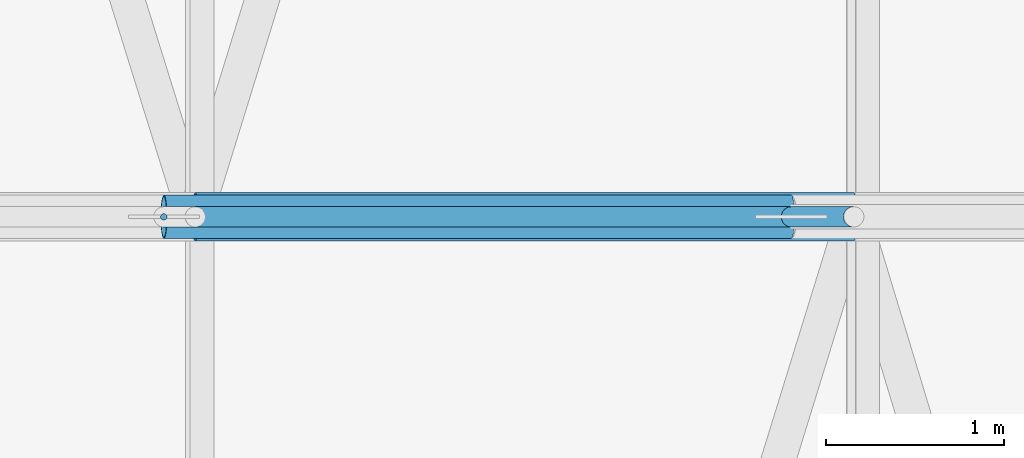
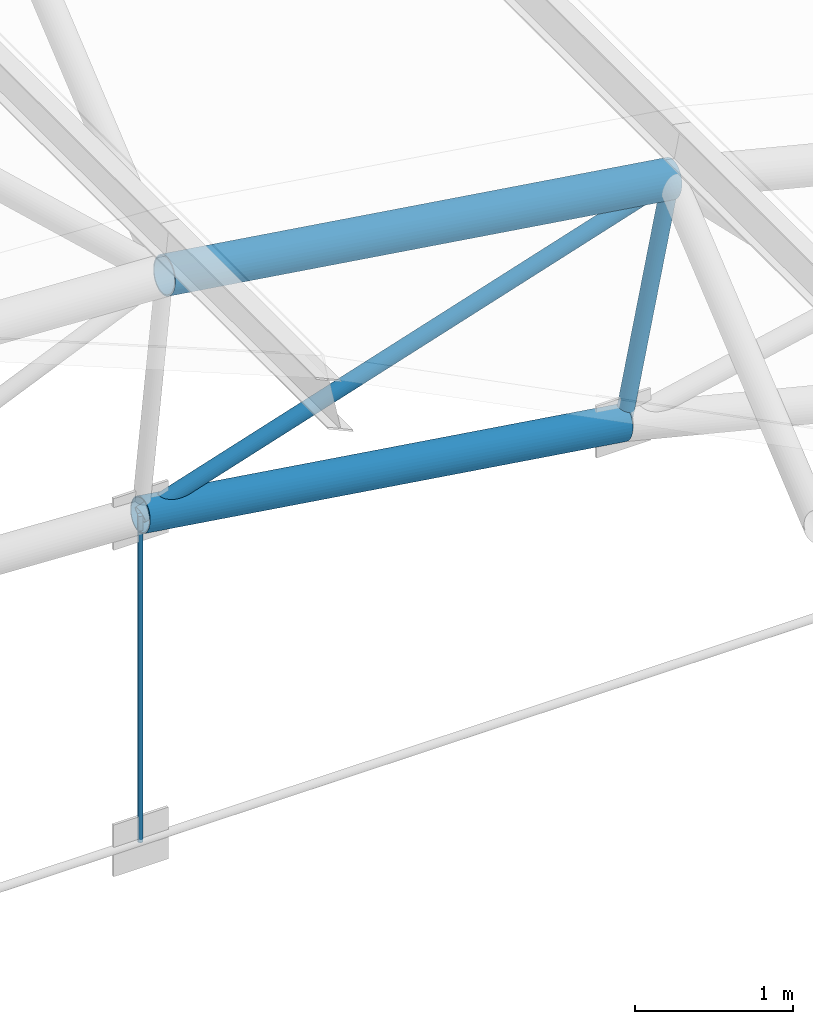
# One storey, part 211 of 321: 5 members.
"""IFC4 building model written with IfcOpenShell, lengths in metres."""

import ifcopenshell
import ifcopenshell.guid

model = None  # the IFC model being written
_history = None  # IfcOwnerHistory: only IFC2X3 demands one
_inside = {}  # id of a spatial element -> (the spatial element, [elements in it])
_under = {}  # id of a project, library or spatial element -> (it, [spatial elements below it])
_declared = {}  # id of a project -> (the project, [libraries it declares])
_typed = {}  # id of a type object -> (the type object, [elements of that type])
_made_of = {}  # id of a material, layer set ... -> (it, [elements and type objects made of it])


def new_model(schema):
    """Start an empty IFC model of exactly this schema.

    Asked for "IFC4X3", IfcOpenShell would pick the latest addendum, in which some entities
    have other attributes; the version numbers below select the first issue.
    IFC2X3 requires an IfcOwnerHistory on every rooted entity: one is made here for all.
    """
    global model, _history
    if schema == "IFC4X3":
        model = ifcopenshell.file(schema_version=(4, 3, 0, 0))
    else:
        model = ifcopenshell.file(schema=schema)
    _inside.clear()
    _under.clear()
    _declared.clear()
    _typed.clear()
    _made_of.clear()
    _history = None
    if model.schema == "IFC2X3":
        org = make("IfcOrganization", Name="unknown")
        user = make(
            "IfcPersonAndOrganization",
            ThePerson=make("IfcPerson", FamilyName="unknown"),
            TheOrganization=org,
        )
        app = make(
            "IfcApplication",
            ApplicationDeveloper=org,
            Version="unknown",
            ApplicationFullName="unknown",
            ApplicationIdentifier="unknown",
        )
        _history = make(
            "IfcOwnerHistory",
            OwningUser=user,
            OwningApplication=app,
            ChangeAction="ADDED",
            CreationDate=0,
        )
    return model


def make(cls, **values):
    """One entity of the class cls with the attributes given. An attribute that is None is left unset."""
    return model.create_entity(
        cls, **{name: value for name, value in values.items() if value is not None}
    )


def rooted(cls, **values):
    """An entity with a GlobalId (a new one), such as an element, a storey or a relation."""
    return make(cls, GlobalId=ifcopenshell.guid.new(), OwnerHistory=_history, **values)


def si_unit(unit_type, name, prefix=None):
    """IfcSIUnit, for example si_unit("LENGTHUNIT", "METRE", prefix="MILLI")."""
    return make("IfcSIUnit", UnitType=unit_type, Prefix=prefix, Name=name)


def assignment(units):
    """IfcUnitAssignment: the units of a project."""
    return None if units is None else make("IfcUnitAssignment", Units=units)


def point(xyz):
    """IfcCartesianPoint."""
    return None if xyz is None else make("IfcCartesianPoint", Coordinates=xyz)


def direction(xyz):
    """IfcDirection."""
    return None if xyz is None else make("IfcDirection", DirectionRatios=xyz)


def frame(location, z_axis=None, x_axis=None):
    """IfcAxis2Placement3D, a coordinate frame: its origin and axes. An axis left out is left unset."""
    return make(
        "IfcAxis2Placement3D",
        Location=point(location),
        Axis=direction(z_axis),
        RefDirection=direction(x_axis),
    )


def frame_2d(location, x_axis=None):
    """IfcAxis2Placement2D, a coordinate frame in the plane: its origin and x axis."""
    return make(
        "IfcAxis2Placement2D", Location=point(location), RefDirection=direction(x_axis)
    )


def origin():
    """The frame at (0, 0, 0) with its axes left unset."""
    return frame((0.0, 0.0, 0.0))


def origin_2d():
    """The frame at (0, 0) in the plane with its x axis left unset."""
    return frame_2d((0.0, 0.0))


def place(relative_to, where):
    """IfcLocalPlacement: puts the frame where relative to a parent placement (None: the world)."""
    return make(
        "IfcLocalPlacement", PlacementRelTo=relative_to, RelativePlacement=where
    )


def context(
    kind, dimensions, precision=None, world=None, true_north=None, identifier=None
):
    """IfcGeometricRepresentationContext, for example the 3D "Model" context."""
    return make(
        "IfcGeometricRepresentationContext",
        ContextIdentifier=identifier,
        ContextType=kind,
        CoordinateSpaceDimension=dimensions,
        Precision=precision,
        WorldCoordinateSystem=world,
        TrueNorth=true_north,
    )


def subcontext(parent, identifier, kind, view, scale=None):
    """IfcGeometricRepresentationSubContext, for example "Body" below "Model"."""
    return make(
        "IfcGeometricRepresentationSubContext",
        ContextIdentifier=identifier,
        ContextType=kind,
        ParentContext=parent,
        TargetScale=scale,
        TargetView=view,
    )


def project(units=None, contexts=None):
    """IfcProject with its units and contexts."""
    return rooted(
        "IfcProject",
        Name="project",
        RepresentationContexts=contexts,
        UnitsInContext=assignment(units),
    )


def spatial(cls, under=None, at=None, **own):
    """A site, building, storey or space (cls), placed at a placement, below another one or the project."""
    s = rooted(cls, ObjectPlacement=at, **own)
    if under is not None:
        _under.setdefault(under.id(), (under, []))[1].append(s)
    return s


def profile(cls, at=None, kind="AREA", **sizes):
    """A parametric profile (cls). Its sizes go by their IFC names, for example OverallWidth=200.0."""
    return make(cls, ProfileType=kind, Position=at, **sizes)


def circle(**sizes):
    """IfcCircleProfileDef."""
    return profile("IfcCircleProfileDef", **sizes)


def hollow_circle(**sizes):
    """IfcCircleHollowProfileDef."""
    return profile("IfcCircleHollowProfileDef", **sizes)


def extrude(swept, where, along, depth):
    """IfcExtrudedAreaSolid: the profile swept, set in the frame where, extruded along a direction by depth."""
    return make(
        "IfcExtrudedAreaSolid",
        SweptArea=swept,
        Position=where,
        ExtrudedDirection=direction(along),
        Depth=depth,
    )


def shape(context_of_items, identifier, shape_type, items):
    """IfcShapeRepresentation: the items that make up one representation, for example the "Body"."""
    return make(
        "IfcShapeRepresentation",
        ContextOfItems=context_of_items,
        RepresentationIdentifier=identifier,
        RepresentationType=shape_type,
        Items=items,
    )


def material(Name=None, Category=None):
    """IfcMaterial."""
    return make("IfcMaterial", Name=Name, Category=Category)


def material_profile(
    of_material, cross_section, Name=None, Category=None, Priority=None
):
    """IfcMaterialProfile: a cross section and its material."""
    return make(
        "IfcMaterialProfile",
        Name=Name,
        Material=of_material,
        Profile=cross_section,
        Priority=Priority,
        Category=Category,
    )


def profile_set(profiles, Name=None, composite=None):
    """IfcMaterialProfileSet."""
    return make(
        "IfcMaterialProfileSet",
        Name=Name,
        MaterialProfiles=profiles,
        CompositeProfile=composite,
    )


def made_of(thing, what):
    """Note that an element or type object is made of a material, layer set ...; save() writes the relation."""
    if what is not None:
        _made_of.setdefault(what.id(), (what, []))[1].append(thing)
    return thing


def type_object(cls, material=None, **own):
    """A type object (cls), such as IfcWallType, which elements share."""
    return made_of(rooted(cls, **own), material)


def element(
    cls,
    number,
    at=None,
    inside=None,
    cuts=None,
    type_object=None,
    material=None,
    context=None,
    identifier="Body",
    shape_type=None,
    held_by="IfcProductDefinitionShape",
    body=None,
    shapes=None,
    **own,
):
    """One element of the class cls, such as IfcWall. Its Tag is "e" and its number.

    at: its placement. inside: the storey or other place that contains it. cuts: it is an
    opening in that element (IfcRelVoidsElement). A single representation is given by context,
    identifier, shape_type and body (its items); several are given by shapes. held_by: the class
    of the entity that holds the representations. save() writes the other relations.
    """
    e = rooted(cls, Tag="e%d" % number, ObjectPlacement=at, **own)
    if body is not None:
        shapes = [shape(context, identifier, shape_type, body)]
    if shapes is not None:
        e.Representation = make(held_by, Representations=shapes)
    if inside is not None:
        _inside.setdefault(inside.id(), (inside, []))[1].append(e)
    if cuts is not None:
        rooted(
            "IfcRelVoidsElement", RelatingBuildingElement=cuts, RelatedOpeningElement=e
        )
    if type_object is not None:
        _typed.setdefault(type_object.id(), (type_object, []))[1].append(e)
    return made_of(e, material)


def aggregate(whole, parts):
    """IfcRelAggregates: a whole, such as a stair, and the parts it consists of."""
    return rooted("IfcRelAggregates", RelatingObject=whole, RelatedObjects=parts)


def save(model, path):
    """Write the relations noted so far, then the file.

    IfcRelAggregates (storeys below a building ...), IfcRelContainedInSpatialStructure (elements
    in a storey), IfcRelDefinesByType, IfcRelAssociatesMaterial and IfcRelDeclares: one each for
    every whole, place, type object, material and project.
    """
    for whole, parts in _under.values():
        aggregate(whole, parts)
    for where, things in _inside.values():
        rooted(
            "IfcRelContainedInSpatialStructure",
            RelatedElements=things,
            RelatingStructure=where,
        )
    for kind, things in _typed.values():
        rooted("IfcRelDefinesByType", RelatedObjects=things, RelatingType=kind)
    for what, things in _made_of.values():
        rooted("IfcRelAssociatesMaterial", RelatedObjects=things, RelatingMaterial=what)
    for by, libraries in _declared.values():
        rooted("IfcRelDeclares", RelatingContext=by, RelatedDefinitions=libraries)
    model.write(path)


model = new_model("IFC4")

# Units and contexts
model_context = context("Model", 3, precision=1e-05, world=origin(), true_north=direction((0.0, 1.0)))
body_context = subcontext(model_context, "Body", "Model", "MODEL_VIEW")
ifc_project = project(units=[si_unit("LENGTHUNIT", "METRE"), si_unit("AREAUNIT", "SQUARE_METRE"), si_unit("VOLUMEUNIT", "CUBIC_METRE"), si_unit("PLANEANGLEUNIT", "RADIAN"), si_unit("MASSUNIT", "GRAM", prefix="KILO")], contexts=[model_context])

# Site, building, storey
site_placement = place(None, origin())
site = spatial("IfcSite", under=ifc_project, at=site_placement, CompositionType="ELEMENT")
building_placement = place(site_placement, origin())
building = spatial("IfcBuilding", under=site, at=building_placement, Name="Ravi Spectrum Wholesale Market", CompositionType="ELEMENT")
storey_placement = place(building_placement, frame((0.0, 0.0, 10.800048828125)))
storey = spatial("IfcBuildingStorey", under=building, at=storey_placement, Name="L02", CompositionType="ELEMENT", Elevation=10.800048828125)

# Members
ifc_material_1 = material(Name="Steel S355", Category="steel")
ifc_material_profile_1 = material_profile(ifc_material_1, hollow_circle(Radius=0.05712890625, WallThickness=0.00390625, at=origin_2d()))
ifc_profile_set_1 = profile_set([ifc_material_profile_1], Name="Steel S355")
member_type_1 = type_object("IfcMemberType", Name="CHS 114.3x4 brace", PredefinedType="BRACE", material=ifc_profile_set_1)
member_1_placement = place(storey_placement, frame((187.448486328125, 150.0, 3.767822265625), z_axis=(-0.952400500519, 0.0, -0.304849613108), x_axis=(0.0, -1.0, 0.0)))
element("IfcMember", 1, at=member_1_placement, inside=storey, type_object=member_type_1, Name="H3-MB-L02-075", PredefinedType="BRACE", context=body_context, shape_type="SweptSolid", body=[
    extrude(hollow_circle(Radius=0.05712890625, WallThickness=0.00390625, at=origin_2d()), origin(), (0.0, 0.0, 1.0), 4.076416015625),
])
ifc_material_2 = material(Name="Steel S355", Category="steel")
ifc_material_profile_2 = material_profile(ifc_material_2, hollow_circle(Radius=0.05712890625, WallThickness=0.00390625, at=origin_2d()))
ifc_profile_set_2 = profile_set([ifc_material_profile_2], Name="Steel S355")
member_type_2 = type_object("IfcMemberType", Name="CHS 114.3x4 post", PredefinedType="POST", material=ifc_profile_set_2)
member_2_placement = place(storey_placement, frame((187.448486328125, 150.0, 3.767822265625), z_axis=(-0.194759682352, 0.0, -0.980850990788), x_axis=(0.0, -1.0, 0.0)))
element("IfcMember", 2, at=member_2_placement, inside=storey, type_object=member_type_2, Name="H3-MB-L02-067", PredefinedType="POST", context=body_context, shape_type="SweptSolid", body=[
    extrude(hollow_circle(Radius=0.05712890625, WallThickness=0.00390625, at=origin_2d()), origin(), (0.0, 0.0, 1.0), 1.800048828125),
])
ifc_material_3 = material(Name="Steel S355", Category="steel")
ifc_material_profile_3 = material_profile(ifc_material_3, hollow_circle(Radius=0.122314453125, WallThickness=0.008056640625, at=origin_2d()))
ifc_profile_set_3 = profile_set([ifc_material_profile_3], Name="Steel S355")
member_type_3 = type_object("IfcMemberType", Name="CHS 244.5x8 chord", PredefinedType="CHORD", material=ifc_profile_set_3)
member_3_placement = place(storey_placement, frame((183.566162109375, 150.0, 2.525146484375), z_axis=(0.989214474115, 0.0, -0.146474312426), x_axis=(0.0, 1.0, 0.0)))
element("IfcMember", 3, at=member_3_placement, inside=storey, type_object=member_type_3, Name="H3-MB-L02-057", PredefinedType="CHORD", context=body_context, shape_type="SweptSolid", body=[
    extrude(hollow_circle(Radius=0.122314453125, WallThickness=0.008056640625, at=origin_2d()), origin(), (0.0, 0.0, 1.0), 3.5703125),
])
ifc_material_4 = material(Name="Steel S355", Category="steel")
ifc_material_profile_4 = material_profile(ifc_material_4, hollow_circle(Radius=0.136474609375, WallThickness=0.010009765625, at=origin_2d()))
ifc_profile_set_4 = profile_set([ifc_material_profile_4], Name="Steel S355")
member_type_4 = type_object("IfcMemberType", Name="CHS 273x10 chord", PredefinedType="CHORD", material=ifc_profile_set_4)
member_4_placement = place(storey_placement, frame((183.7421875, 150.0, 4.31640625), z_axis=(0.989222696265, 0.0, -0.146418773368), x_axis=(0.0, 1.0, 0.0)))
element("IfcMember", 4, at=member_4_placement, inside=storey, type_object=member_type_4, Name="H3-MB-L02-047", PredefinedType="CHORD", context=body_context, shape_type="SweptSolid", body=[
    extrude(hollow_circle(Radius=0.136474609375, WallThickness=0.010009765625, at=origin_2d()), origin(), (0.0, 0.0, 1.0), 3.74658203125),
])
ifc_material_5 = material(Name="Steel S355", Category="steel")
ifc_material_profile_5 = material_profile(ifc_material_5, circle(Radius=0.01806640625, at=origin_2d()))
ifc_profile_set_5 = profile_set([ifc_material_profile_5], Name="Steel S355")
member_type_5 = type_object("IfcMemberType", Name="ROD 36 hanger", PredefinedType="STRUT", material=ifc_profile_set_5)
member_5_placement = place(storey_placement, frame((183.566162109375, 150.0, 0.0), z_axis=(0.0, 0.0, 1.0), x_axis=(1.0, 0.0, 0.0)))
element("IfcMember", 5, at=member_5_placement, inside=storey, type_object=member_type_5, Name="H3-MB-L02-080", PredefinedType="STRUT", context=body_context, shape_type="SweptSolid", body=[
    extrude(circle(Radius=0.01806640625, at=origin_2d()), origin(), (0.0, 0.0, 1.0), 2.525146484375),
])

save(model, "model.ifc")
